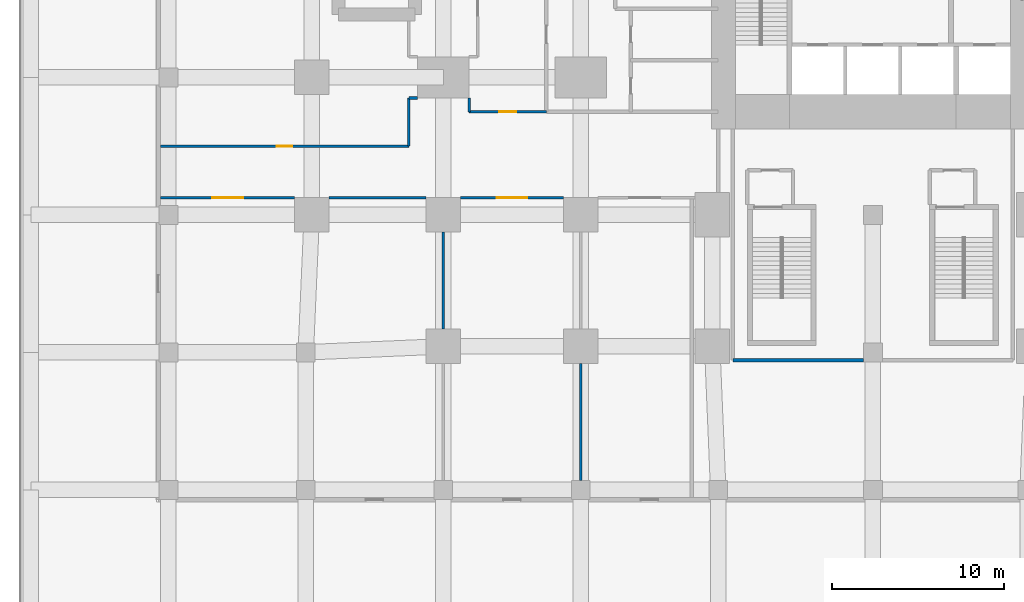
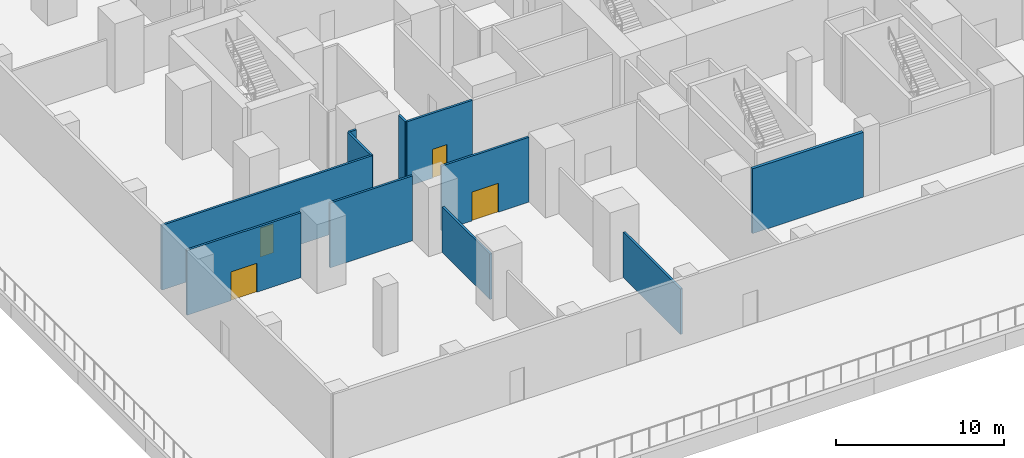
# One storey, part 6 of 19: 11 walls, 4 doors, 4 openings.
"""IFC4 building model written with IfcOpenShell, lengths in metres."""

from ifc_helpers import new_model, si_unit, direction, frame, frame_2d, origin, place, context, subcontext, project, spatial, rectangle, extrude, material, layer, layer_set, type_object, element, fill, save


model = new_model("IFC4")

# Units and contexts
model_context = context("Model", 3, precision=1e-05, world=origin(), true_north=direction((0.0, 1.0)))
body_context = subcontext(model_context, "Body", "Model", "MODEL_VIEW")
ifc_project = project(units=[si_unit("LENGTHUNIT", "METRE"), si_unit("AREAUNIT", "SQUARE_METRE"), si_unit("VOLUMEUNIT", "CUBIC_METRE"), si_unit("PLANEANGLEUNIT", "RADIAN"), si_unit("MASSUNIT", "GRAM", prefix="KILO")], contexts=[model_context])

# Site, building, storey
site_placement = place(None, origin())
site = spatial("IfcSite", under=ifc_project, at=site_placement, CompositionType="ELEMENT")
building_placement = place(site_placement, origin())
building = spatial("IfcBuilding", under=site, at=building_placement, Name="Cleftline Residences", CompositionType="ELEMENT")
storey_placement = place(building_placement, frame((0.0, 0.0, 11.0)))
storey = spatial("IfcBuildingStorey", under=building, at=storey_placement, Name="L02", CompositionType="ELEMENT", Elevation=11.0)

# Wall
ifc_material_1 = material(Name="Concrete blockwork, fire rated", Category="masonry")
ifc_layer_1 = layer(ifc_material_1, 0.199951171875)
ifc_layer_set_1 = layer_set([ifc_layer_1], Name="FIRE WALL 200")
wall_type_1 = type_object("IfcWallType", Name="FIRE WALL 200", PredefinedType="PARTITIONING", material=ifc_layer_set_1)
wall_1_placement = place(storey_placement, frame((24.85009765625, -0.449951171875, 0.0), z_axis=(0.0, 0.0, 1.0), x_axis=(1.0, 0.0, 0.0)))
element("IfcWall", 1, at=wall_1_placement, inside=storey, type_object=wall_type_1, Name="Fire separating wall", PredefinedType="PARTITIONING", context=body_context, shape_type="SweptSolid", body=[
    extrude(rectangle(XDim=7.599853515625, YDim=0.199951171875, at=frame_2d((3.7998046875, 0.0))), origin(), (0.0, 0.0, 1.0), 4.699951171875),
])

# Wall, opening, door
ifc_material_2 = material(Name="Gypsum board on steel studs", Category="steel")
ifc_layer_2 = layer(ifc_material_2, 0.14990234375)
ifc_layer_set_2 = layer_set([ifc_layer_2], Name="PARTITION 150")
wall_type_2 = type_object("IfcWallType", Name="PARTITION 150", PredefinedType="PARTITIONING", material=ifc_layer_set_2)
wall_2_placement = place(storey_placement, frame((-8.449951171875, 9.0, 0.0), z_axis=(0.0, 0.0, 1.0), x_axis=(1.0, 0.0, 0.0)))
wall_2 = element("IfcWall", 2, at=wall_2_placement, inside=storey, type_object=wall_type_2, Name="Partition", PredefinedType="PARTITIONING", context=body_context, shape_type="SweptSolid", body=[
    extrude(rectangle(XDim=7.800048828125, YDim=0.14990234375, at=frame_2d((3.89990234375, 0.0))), origin(), (0.0, 0.0, 1.0), 4.699951171875),
])
opening_1_placement = place(wall_2_placement, frame((3.0, 0.0, 0.0)))
opening_1 = element("IfcOpeningElement", 3, at=opening_1_placement, cuts=wall_2, Name="Opening D3", PredefinedType="OPENING", context=body_context, shape_type="SweptSolid", body=[
    extrude(rectangle(XDim=1.800048828125, YDim=2.10009765625, at=frame_2d((0.89990234375, 1.050048828125))), frame((0.0, 0.0849609375, 0.0), z_axis=(0.0, -1.0, 0.0), x_axis=(1.0, 0.0, 0.0)), (0.0, 0.0, 1.0), 0.169921875),
])
ifc_material_3 = material(Name="Timber veneer on solid core", Category="wood")
door_type_1 = type_object("IfcDoorType", Name="DOUBLE DOOR 1800X2100", OperationType="DOUBLE_DOOR_DOUBLE_SWING", PredefinedType="DOOR", material=ifc_material_3)
door_1_placement = place(opening_1_placement, origin())
door_1 = element("IfcDoor", 4, at=door_1_placement, inside=storey, type_object=door_type_1, Name="Door to gym floor", OperationType="DOUBLE_DOOR_DOUBLE_SWING", OverallHeight=2.10009765625, OverallWidth=1.800048828125, PredefinedType="DOOR", context=body_context, shape_type="SweptSolid", body=[
    extrude(rectangle(XDim=1.800048828125, YDim=2.10009765625, at=frame_2d((0.89990234375, 1.050048828125))), frame((0.0, 0.02490234375, 0.0), z_axis=(0.0, -1.0, 0.0), x_axis=(1.0, 0.0, 0.0)), (0.0, 0.0, 1.0), 0.050048828125),
])
fill(opening_1, door_1)

# Wall
wall_3_placement = place(storey_placement, frame((1.35009765625, 9.0, 0.0), z_axis=(0.0, 0.0, 1.0), x_axis=(1.0, 0.0, 0.0)))
element("IfcWall", 5, at=wall_3_placement, inside=storey, type_object=wall_type_2, Name="Partition", PredefinedType="PARTITIONING", context=body_context, shape_type="SweptSolid", body=[
    extrude(rectangle(XDim=5.64990234375, YDim=0.14990234375, at=frame_2d((2.824951171875, 0.0))), origin(), (0.0, 0.0, 1.0), 4.699951171875),
])

# Wall, opening, door
wall_4_placement = place(storey_placement, frame((9.0, 9.0, 0.0), z_axis=(0.0, 0.0, 1.0), x_axis=(1.0, 0.0, 0.0)))
wall_4 = element("IfcWall", 6, at=wall_4_placement, inside=storey, type_object=wall_type_2, Name="Partition", PredefinedType="PARTITIONING", context=body_context, shape_type="SweptSolid", body=[
    extrude(rectangle(XDim=6.0, YDim=0.14990234375, at=frame_2d((3.0, 0.0))), origin(), (0.0, 0.0, 1.0), 4.699951171875),
])
opening_2_placement = place(wall_4_placement, frame((2.10009765625, 0.0, 0.0)))
opening_2 = element("IfcOpeningElement", 7, at=opening_2_placement, cuts=wall_4, Name="Opening D3", PredefinedType="OPENING", context=body_context, shape_type="SweptSolid", body=[
    extrude(rectangle(XDim=1.800048828125, YDim=2.10009765625, at=frame_2d((0.89990234375, 1.050048828125))), frame((0.0, 0.0849609375, 0.0), z_axis=(0.0, -1.0, 0.0), x_axis=(1.0, 0.0, 0.0)), (0.0, 0.0, 1.0), 0.169921875),
])
door_2_placement = place(opening_2_placement, origin())
door_2 = element("IfcDoor", 8, at=door_2_placement, inside=storey, type_object=door_type_1, Name="Door to spin studio", OperationType="DOUBLE_DOOR_DOUBLE_SWING", OverallHeight=2.10009765625, OverallWidth=1.800048828125, PredefinedType="DOOR", context=body_context, shape_type="SweptSolid", body=[
    extrude(rectangle(XDim=1.800048828125, YDim=2.10009765625, at=frame_2d((0.89990234375, 1.050048828125))), frame((0.0, 0.02490234375, 0.0), z_axis=(0.0, -1.0, 0.0), x_axis=(1.0, 0.0, 0.0)), (0.0, 0.0, 1.0), 0.050048828125),
])
fill(opening_2, door_2)

wall_5_placement = place(storey_placement, frame((-8.449951171875, 12.0, 0.0), z_axis=(0.0, 0.0, 1.0), x_axis=(1.0, 0.0, 0.0)))
wall_5 = element("IfcWall", 9, at=wall_5_placement, inside=storey, type_object=wall_type_2, Name="Partition", PredefinedType="PARTITIONING", context=body_context, shape_type="SweptSolid", body=[
    extrude(rectangle(XDim=14.449951171875, YDim=0.14990234375, at=frame_2d((7.22509765625, 0.0))), origin(), (0.0, 0.0, 1.0), 4.699951171875),
])
opening_3_placement = place(wall_5_placement, frame((6.77490234375, 0.0, 0.0)))
opening_3 = element("IfcOpeningElement", 10, at=opening_3_placement, cuts=wall_5, Name="Opening D1", PredefinedType="OPENING", context=body_context, shape_type="SweptSolid", body=[
    extrude(rectangle(XDim=0.89990234375, YDim=2.10009765625, at=frame_2d((0.449951171875, 1.050048828125))), frame((0.0, 0.0849609375, 0.0), z_axis=(0.0, -1.0, 0.0), x_axis=(1.0, 0.0, 0.0)), (0.0, 0.0, 1.0), 0.169921875),
])
ifc_material_4 = material(Name="Timber veneer on solid core", Category="wood")
door_type_2 = type_object("IfcDoorType", Name="DOOR 900X2100", OperationType="SINGLE_SWING_LEFT", PredefinedType="DOOR", material=ifc_material_4)
door_3_placement = place(opening_3_placement, origin())
door_3 = element("IfcDoor", 11, at=door_3_placement, inside=storey, type_object=door_type_2, Name="Door to changing rooms", OperationType="SINGLE_SWING_LEFT", OverallHeight=2.10009765625, OverallWidth=0.89990234375, PredefinedType="DOOR", context=body_context, shape_type="SweptSolid", body=[
    extrude(rectangle(XDim=0.89990234375, YDim=2.10009765625, at=frame_2d((0.449951171875, 1.050048828125))), frame((0.0, 0.02490234375, 0.0), z_axis=(0.0, -1.0, 0.0), x_axis=(1.0, 0.0, 0.0)), (0.0, 0.0, 1.0), 0.050048828125),
])
fill(opening_3, door_3)

wall_6_placement = place(storey_placement, frame((9.5, 14.0, 0.0), z_axis=(0.0, 0.0, 1.0), x_axis=(1.0, 0.0, 0.0)))
wall_6 = element("IfcWall", 12, at=wall_6_placement, inside=storey, type_object=wall_type_2, Name="Partition", PredefinedType="PARTITIONING", context=body_context, shape_type="SweptSolid", body=[
    extrude(rectangle(XDim=4.5, YDim=0.14990234375, at=frame_2d((2.25, 0.0))), origin(), (0.0, 0.0, 1.0), 4.699951171875),
])
opening_4_placement = place(wall_6_placement, frame((1.75, 0.0, 0.0)))
opening_4 = element("IfcOpeningElement", 13, at=opening_4_placement, cuts=wall_6, Name="Opening D2F30", PredefinedType="OPENING", context=body_context, shape_type="SweptSolid", body=[
    extrude(rectangle(XDim=1.0, YDim=2.10009765625, at=frame_2d((0.5, 1.050048828125))), frame((0.0, 0.0849609375, 0.0), z_axis=(0.0, -1.0, 0.0), x_axis=(1.0, 0.0, 0.0)), (0.0, 0.0, 1.0), 0.169921875),
])
ifc_material_5 = material(Name="Timber veneer on solid core", Category="wood")
door_type_3 = type_object("IfcDoorType", Name="DOOR 1000X2100 EI 30", OperationType="SINGLE_SWING_LEFT", PredefinedType="DOOR", material=ifc_material_5)
door_4_placement = place(opening_4_placement, origin())
door_4 = element("IfcDoor", 14, at=door_4_placement, inside=storey, type_object=door_type_3, Name="Door to fitness lobby", OperationType="SINGLE_SWING_LEFT", OverallHeight=2.10009765625, OverallWidth=1.0, PredefinedType="DOOR", context=body_context, shape_type="SweptSolid", body=[
    extrude(rectangle(XDim=1.0, YDim=2.10009765625, at=frame_2d((0.5, 1.050048828125))), frame((0.0, 0.02490234375, 0.0), z_axis=(0.0, -1.0, 0.0), x_axis=(1.0, 0.0, 0.0)), (0.0, 0.0, 1.0), 0.050048828125),
])
fill(opening_4, door_4)

# Walls
wall_7_placement = place(storey_placement, frame((6.0, 14.800048828125, 0.0), z_axis=(0.0, 0.0, 1.0), x_axis=(1.0, 0.0, 0.0)))
element("IfcWall", 15, at=wall_7_placement, inside=storey, type_object=wall_type_2, Name="Partition", PredefinedType="PARTITIONING", context=body_context, shape_type="SweptSolid", body=[
    extrude(rectangle(XDim=0.5, YDim=0.14990234375, at=frame_2d((0.25, 0.0))), origin(), (0.0, 0.0, 1.0), 4.699951171875),
])
wall_8_placement = place(storey_placement, frame((6.0, 12.0, 0.0), z_axis=(0.0, 0.0, 1.0), x_axis=(0.0, 1.0, 0.0)))
element("IfcWall", 16, at=wall_8_placement, inside=storey, type_object=wall_type_2, Name="Partition", PredefinedType="PARTITIONING", context=body_context, shape_type="SweptSolid", body=[
    extrude(rectangle(XDim=2.800048828125, YDim=0.14990234375, at=frame_2d((1.39990234375, 0.0))), origin(), (0.0, 0.0, 1.0), 4.699951171875),
])
wall_9_placement = place(storey_placement, frame((8.0, 1.35009765625, 0.0), z_axis=(0.0, 0.0, 1.0), x_axis=(0.0, 1.0, 0.0)))
element("IfcWall", 17, at=wall_9_placement, inside=storey, type_object=wall_type_2, Name="Partition", PredefinedType="PARTITIONING", context=body_context, shape_type="SweptSolid", body=[
    extrude(rectangle(XDim=5.64990234375, YDim=0.14990234375, at=frame_2d((2.824951171875, 0.0))), origin(), (0.0, 0.0, 1.0), 3.300048828125),
])
wall_10_placement = place(storey_placement, frame((9.5, 14.0, 0.0), z_axis=(0.0, 0.0, 1.0), x_axis=(0.0, 1.0, 0.0)))
element("IfcWall", 18, at=wall_10_placement, inside=storey, type_object=wall_type_2, Name="Partition", PredefinedType="PARTITIONING", context=body_context, shape_type="SweptSolid", body=[
    extrude(rectangle(XDim=0.800048828125, YDim=0.14990234375, at=frame_2d((0.39990234375, 0.0))), origin(), (0.0, 0.0, 1.0), 4.699951171875),
])
wall_11_placement = place(storey_placement, frame((16.0, -7.449951171875, 0.0), z_axis=(0.0, 0.0, 1.0), x_axis=(0.0, 1.0, 0.0)))
element("IfcWall", 19, at=wall_11_placement, inside=storey, type_object=wall_type_2, Name="Partition", PredefinedType="PARTITIONING", context=body_context, shape_type="SweptSolid", body=[
    extrude(rectangle(XDim=6.800048828125, YDim=0.14990234375, at=frame_2d((3.39990234375, 0.0))), origin(), (0.0, 0.0, 1.0), 3.300048828125),
])

save(model, "model.ifc")
